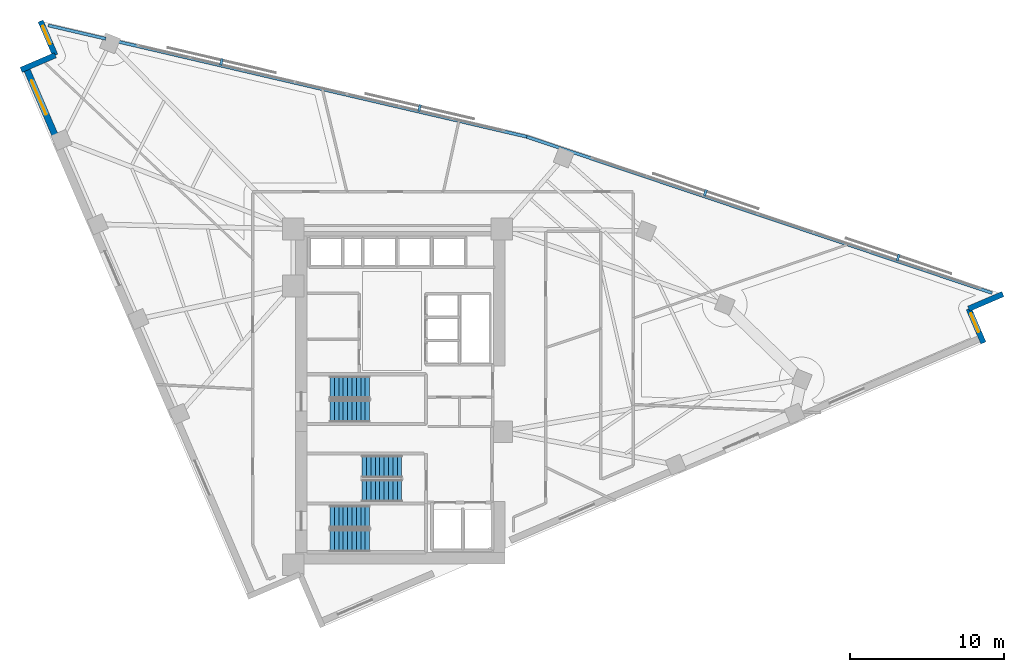
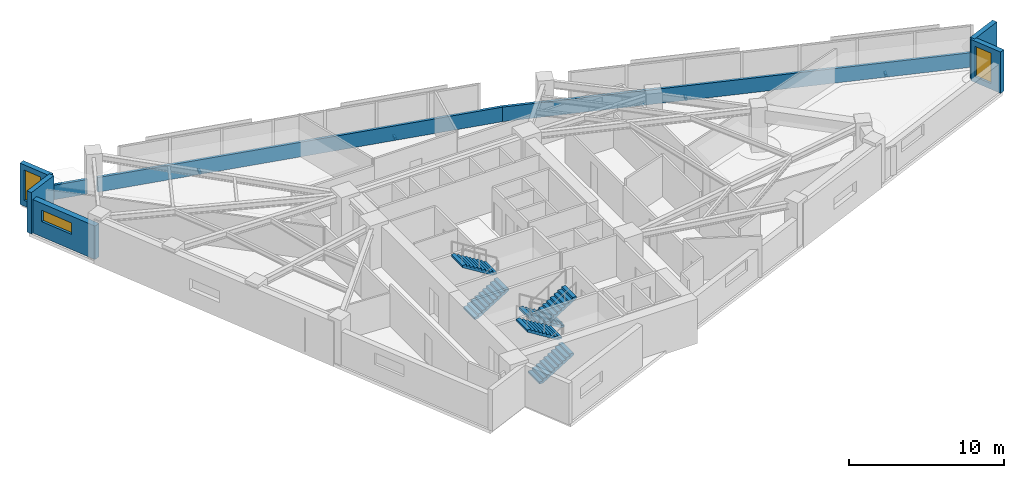
# One storey, part 13 of 15: 8 walls, 6 stair flights, 4 discrete accessories, 3 windows, 3 openings, 3 elements without a shape of their own.
"""IFC4 building model written with IfcOpenShell, lengths in metres."""

from ifc_helpers import new_model, si_unit, direction, frame, frame_2d, origin, origin_2d, place, context, subcontext, project, spatial, polyline, rectangle, outline, extrude, material, layer, layer_set, type_object, element, fill, aggregate, save


model = new_model("IFC4")

# Units and contexts
model_context = context("Model", 3, precision=1e-05, world=origin(), true_north=direction((0.0, 1.0)))
body_context = subcontext(model_context, "Body", "Model", "MODEL_VIEW")
ifc_project = project(units=[si_unit("LENGTHUNIT", "METRE"), si_unit("AREAUNIT", "SQUARE_METRE"), si_unit("VOLUMEUNIT", "CUBIC_METRE"), si_unit("PLANEANGLEUNIT", "RADIAN"), si_unit("MASSUNIT", "GRAM", prefix="KILO")], contexts=[model_context])

# Site, building, storey
site_placement = place(None, origin())
site = spatial("IfcSite", under=ifc_project, at=site_placement, CompositionType="ELEMENT")
building_placement = place(site_placement, origin())
building = spatial("IfcBuilding", under=site, at=building_placement, Name="Narakoshi Arena Tower", CompositionType="ELEMENT")
storey_placement = place(building_placement, frame((0.0, 0.0, 186.139892578125)))
storey = spatial("IfcBuildingStorey", under=building, at=storey_placement, Name="L50", CompositionType="ELEMENT", Elevation=186.139892578125)

# Walls
ifc_material_1 = material(Name="Precast concrete C45/55", Category="concrete")
ifc_layer_1 = layer(ifc_material_1, 0.25)
ifc_layer_set_1 = layer_set([ifc_layer_1], Name="Precast concrete C45/55")
wall_type_1 = type_object("IfcWallType", Name="WL-PARA-250", PredefinedType="PARAPET", material=ifc_layer_set_1)
wall_1_placement = place(storey_placement, frame((117.362548828125, 52.343505859375, 0.0), z_axis=(0.0, 0.0, 1.0), x_axis=(-0.94800468727, 0.31825636351, 0.0)))
element("IfcWall", 1, at=wall_1_placement, inside=storey, type_object=wall_type_1, Name="L50 Hypotenuse Sill Upstand Parapet 1-01", PredefinedType="PARAPET", context=body_context, shape_type="SweptSolid", body=[
    extrude(rectangle(XDim=31.869140625, YDim=0.199951171875, at=frame_2d((15.9345703125, 0.0))), origin(), (0.0, 0.0, 1.0), 1.150146484375),
])
wall_2_placement = place(storey_placement, frame((87.1650390625, 62.48193359375, 0.0), z_axis=(0.0, 0.0, 1.0), x_axis=(-0.973958631559, 0.226725790352, 0.0)))
element("IfcWall", 2, at=wall_2_placement, inside=storey, type_object=wall_type_1, Name="L50 Hypotenuse Sill Upstand Parapet 2-01", PredefinedType="PARAPET", context=body_context, shape_type="SweptSolid", body=[
    extrude(rectangle(XDim=27.375732421875, YDim=0.199951171875, at=frame_2d((13.68798828125, 0.0))), origin(), (0.0, 0.0, 1.0), 1.150146484375),
])
wall_3_placement = place(storey_placement, frame((59.8408203125, 68.842529296875, 0.0), z_axis=(0.0, 0.0, 1.0), x_axis=(-0.973951848941, 0.226754924851, 0.0)))
element("IfcWall", 3, at=wall_3_placement, inside=storey, type_object=wall_type_1, Name="L50 Hypotenuse Sill Upstand Parapet 2-02", PredefinedType="PARAPET", context=body_context, shape_type="SweptSolid", body=[
    extrude(rectangle(XDim=3.837158203125, YDim=0.199951171875, at=frame_2d((1.91845703125, 0.0))), origin(), (0.0, 0.0, 1.0), 1.150146484375),
])

# Wall, opening, window
ifc_layer_2 = layer(ifc_material_1, 0.419921875)
ifc_layer_set_2 = layer_set([ifc_layer_2], Name="Precast concrete C45/55")
wall_type_2 = type_object("IfcWallType", Name="WL-POD-420", PredefinedType="SOLIDWALL", material=ifc_layer_set_2)
wall_4_placement = place(storey_placement, frame((54.6708984375, 66.958984375, 0.0), z_axis=(0.0, 0.0, 1.0), x_axis=(0.394733507229, -0.918795656428, 0.0)))
wall_4 = element("IfcWall", 4, at=wall_4_placement, inside=storey, type_object=wall_type_2, Name="L50 Architectural Concrete Facade Wall LEGB-1", PredefinedType="SOLIDWALL", context=body_context, shape_type="SweptSolid", body=[
    extrude(rectangle(XDim=5.210205078125, YDim=0.419921875, at=frame_2d((2.60498046875, 0.0))), origin(), (0.0, 0.0, 1.0), 2.64501953125),
])
opening_1_placement = place(wall_4_placement, frame((0.89990234375, 0.0, 1.199951171875)))
opening_1 = element("IfcOpeningElement", 5, at=opening_1_placement, cuts=wall_4, Name="Opening WN-01", PredefinedType="OPENING", context=body_context, shape_type="SweptSolid", body=[
    extrude(rectangle(XDim=2.39990234375, YDim=0.89990234375, at=frame_2d((1.199951171875, 0.449951171875))), frame((0.0, 0.219970703125, 0.0), z_axis=(0.0, -1.0, 0.0), x_axis=(1.0, 0.0, 0.0)), (0.0, 0.0, 1.0), 0.43994140625),
])
ifc_material_2 = material(Name="Bronze-tinted low-E laminated glass", Category="glass")
window_type_1 = type_object("IfcWindowType", Name="WIN-SLT-24x09", PartitioningType="SINGLE_PANEL", PredefinedType="WINDOW", material=ifc_material_2)
window_1_placement = place(opening_1_placement, origin())
window_1 = element("IfcWindow", 6, at=window_1_placement, inside=storey, type_object=window_type_1, Name="L50 LEGB1 Horizontal Slot Window 1", OverallHeight=0.89990234375, OverallWidth=2.39990234375, PartitioningType="SINGLE_PANEL", PredefinedType="WINDOW", context=body_context, shape_type="SweptSolid", body=[
    extrude(rectangle(XDim=2.39990234375, YDim=0.89990234375, at=frame_2d((1.199951171875, 0.449951171875))), frame((0.0, 0.030029296875, 0.0), z_axis=(0.0, -1.0, 0.0), x_axis=(1.0, 0.0, 0.0)), (0.0, 0.0, 1.0), 0.06005859375),
])
fill(opening_1, window_1)

wall_5_placement = place(storey_placement, frame((116.8017578125, 49.105712890625, 0.0), z_axis=(0.0, 0.0, 1.0), x_axis=(-0.394712707157, 0.918804592288, 0.0)))
wall_5 = element("IfcWall", 7, at=wall_5_placement, inside=storey, type_object=wall_type_2, Name="L50 Re-Entrant Corner Notch Wall NTE-1", PredefinedType="SOLIDWALL", context=body_context, shape_type="SweptSolid", body=[
    extrude(rectangle(XDim=2.41357421875, YDim=0.360107421875, at=frame_2d((1.206787109375, 0.0))), origin(), (0.0, 0.0, 1.0), 3.260009765625),
])
opening_2_placement = place(wall_5_placement, frame((0.7734375, 0.0, 0.449951171875)))
opening_2 = element("IfcOpeningElement", 8, at=opening_2_placement, cuts=wall_5, Name="Opening WN-06", PredefinedType="OPENING", context=body_context, shape_type="SweptSolid", body=[
    extrude(rectangle(XDim=1.300048828125, YDim=2.39990234375, at=frame_2d((0.64990234375, 1.199951171875))), frame((0.0, 0.18994140625, 0.0), z_axis=(0.0, -1.0, 0.0), x_axis=(1.0, 0.0, 0.0)), (0.0, 0.0, 1.0), 0.380126953125),
])
window_type_2 = type_object("IfcWindowType", Name="WIN-NTC-16x24", PartitioningType="SINGLE_PANEL", PredefinedType="WINDOW", material=ifc_material_2)
window_2_placement = place(opening_2_placement, origin())
window_2 = element("IfcWindow", 9, at=window_2_placement, inside=storey, type_object=window_type_2, Name="L50 Corner Notch Window NTE", OverallHeight=2.39990234375, OverallWidth=1.300048828125, PartitioningType="SINGLE_PANEL", PredefinedType="WINDOW", context=body_context, shape_type="SweptSolid", body=[
    extrude(rectangle(XDim=1.300048828125, YDim=2.39990234375, at=frame_2d((0.64990234375, 1.199951171875))), frame((0.0, 0.030029296875, 0.0), z_axis=(0.0, -1.0, 0.0), x_axis=(1.0, 0.0, 0.0)), (0.0, 0.0, 1.0), 0.06005859375),
])
fill(opening_2, window_2)

# Wall
wall_6_placement = place(storey_placement, frame((115.84912109375, 51.3232421875, 0.0), z_axis=(0.0, 0.0, 1.0), x_axis=(0.918788830096, 0.394749396062, 0.0)))
element("IfcWall", 10, at=wall_6_placement, inside=storey, type_object=wall_type_2, Name="L50 Re-Entrant Corner Notch Wall NTE-2", PredefinedType="SOLIDWALL", context=body_context, shape_type="SweptSolid", body=[
    extrude(rectangle(XDim=2.413330078125, YDim=0.360107421875, at=frame_2d((1.20654296875, 0.0))), origin(), (0.0, 0.0, 1.0), 3.260009765625),
])

# Wall, opening, window
wall_7_placement = place(storey_placement, frame((55.614013671875, 69.99072265625, 0.0), z_axis=(0.0, 0.0, 1.0), x_axis=(0.394663989422, -0.918825519592, 0.0)))
wall_7 = element("IfcWall", 11, at=wall_7_placement, inside=storey, type_object=wall_type_2, Name="L50 Re-Entrant Corner Notch Wall NTN-1", PredefinedType="SOLIDWALL", context=body_context, shape_type="SweptSolid", body=[
    extrude(rectangle(XDim=2.4130859375, YDim=0.360107421875, at=frame_2d((1.20654296875, 0.0))), origin(), (0.0, 0.0, 1.0), 3.260009765625),
])
opening_3_placement = place(wall_7_placement, frame((0.340087890625, 0.0, 0.449951171875)))
opening_3 = element("IfcOpeningElement", 12, at=opening_3_placement, cuts=wall_7, Name="Opening WN-06", PredefinedType="OPENING", context=body_context, shape_type="SweptSolid", body=[
    extrude(rectangle(XDim=1.300048828125, YDim=2.39990234375, at=frame_2d((0.64990234375, 1.199951171875))), frame((0.0, 0.18994140625, 0.0), z_axis=(0.0, -1.0, 0.0), x_axis=(1.0, 0.0, 0.0)), (0.0, 0.0, 1.0), 0.380126953125),
])
window_3_placement = place(opening_3_placement, origin())
window_3 = element("IfcWindow", 13, at=window_3_placement, inside=storey, type_object=window_type_2, Name="L50 Corner Notch Window NTN", OverallHeight=2.39990234375, OverallWidth=1.300048828125, PartitioningType="SINGLE_PANEL", PredefinedType="WINDOW", context=body_context, shape_type="SweptSolid", body=[
    extrude(rectangle(XDim=1.300048828125, YDim=2.39990234375, at=frame_2d((0.64990234375, 1.199951171875))), frame((0.0, 0.030029296875, 0.0), z_axis=(0.0, -1.0, 0.0), x_axis=(1.0, 0.0, 0.0)), (0.0, 0.0, 1.0), 0.06005859375),
])
fill(opening_3, window_3)

# Wall
wall_8_placement = place(storey_placement, frame((56.56640625, 67.7734375, 0.0), z_axis=(0.0, 0.0, 1.0), x_axis=(-0.918788830096, -0.394749396062, 0.0)))
element("IfcWall", 14, at=wall_8_placement, inside=storey, type_object=wall_type_2, Name="L50 Re-Entrant Corner Notch Wall NTN-2", PredefinedType="SOLIDWALL", context=body_context, shape_type="SweptSolid", body=[
    extrude(rectangle(XDim=2.413330078125, YDim=0.360107421875, at=frame_2d((1.20654296875, 0.0))), origin(), (0.0, 0.0, 1.0), 3.260009765625),
])

# Stair, stair flights
ifc_material_3 = material(Name="Concrete C45/55", Category="concrete")
stair_type = type_object("IfcStairType", Name="STR-CORE-352", PredefinedType="TWO_STRAIGHT_RUN_STAIR", material=ifc_material_3)
stair_1_placement = place(storey_placement, origin())
stair_1 = element("IfcStair", 15, at=stair_1_placement, inside=storey, type_object=stair_type, Name="L50 Core Escape Stair ST1", PredefinedType="TWO_STRAIGHT_RUN_STAIR")
stair_flight_type = type_object("IfcStairFlightType", Name="FLT-145-160", PredefinedType="STRAIGHT", material=ifc_material_1)
stair_flight_1_placement = place(storey_placement, frame((74.39990234375, 36.27490234375, 0.0), z_axis=(0.0, 0.0, 1.0), x_axis=(1.0, 0.0, 0.0)))
stair_flight_1 = element("IfcStairFlight", 16, at=stair_flight_1_placement, type_object=stair_flight_type, Name="ST1 flight 1", NumberOfRisers=10, NumberOfTreads=9, PredefinedType="STRAIGHT", RiserHeight=0.176, TreadLength=0.285, context=body_context, shape_type="SweptSolid", body=[
    extrude(outline(polyline([(0.0, 0.0), (0.0, 0.176025390625), (0.284912109375, 0.176025390625), (0.284912109375, 0.35205078125), (0.570068359375, 0.35205078125), (0.570068359375, 0.528076171875), (0.85498046875, 0.528076171875), (0.85498046875, 0.7041015625), (1.139892578125, 0.7041015625), (1.139892578125, 0.8798828125), (1.425048828125, 0.8798828125), (1.425048828125, 1.055908203125), (1.7099609375, 1.055908203125), (1.7099609375, 1.23193359375), (1.9951171875, 1.23193359375), (1.9951171875, 1.407958984375), (2.280029296875, 1.407958984375), (2.280029296875, 1.583984375), (2.56494140625, 1.583984375), (2.56494140625, 1.760009765625), (2.56494140625, 1.40771484375), (0.285400390625, 0.0), (0.0, 0.0)])), frame((0.0, 0.72509765625, 0.0), z_axis=(0.0, -1.0, 0.0), x_axis=(1.0, 0.0, 0.0)), (0.0, 0.0, 1.0), 1.449951171875),
])
stair_flight_2_placement = place(storey_placement, frame((76.965087890625, 37.824951171875, 1.760009765625), z_axis=(0.0, 0.0, 1.0), x_axis=(-1.0, 0.0, 0.0)))
stair_flight_2 = element("IfcStairFlight", 17, at=stair_flight_2_placement, type_object=stair_flight_type, Name="ST1 flight 2", NumberOfRisers=10, NumberOfTreads=9, PredefinedType="STRAIGHT", RiserHeight=0.176, TreadLength=0.285, context=body_context, shape_type="SweptSolid", body=[
    extrude(outline(polyline([(0.0, 0.0), (0.0, 0.176025390625), (0.284912109375, 0.176025390625), (0.284912109375, 0.35205078125), (0.570068359375, 0.35205078125), (0.570068359375, 0.528076171875), (0.85498046875, 0.528076171875), (0.85498046875, 0.7041015625), (1.139892578125, 0.7041015625), (1.139892578125, 0.8798828125), (1.425048828125, 0.8798828125), (1.425048828125, 1.055908203125), (1.7099609375, 1.055908203125), (1.7099609375, 1.23193359375), (1.9951171875, 1.23193359375), (1.9951171875, 1.407958984375), (2.280029296875, 1.407958984375), (2.280029296875, 1.583984375), (2.56494140625, 1.583984375), (2.56494140625, 1.760009765625), (2.56494140625, 1.40771484375), (0.285400390625, 0.0), (0.0, 0.0)])), frame((0.0, 0.72509765625, 0.0), z_axis=(0.0, -1.0, 0.0), x_axis=(1.0, 0.0, 0.0)), (0.0, 0.0, 1.0), 1.449951171875),
])
aggregate(stair_1, [stair_flight_1, stair_flight_2])

stair_2_placement = place(storey_placement, origin())
stair_2 = element("IfcStair", 18, at=stair_2_placement, inside=storey, type_object=stair_type, Name="L50 Core Escape Stair ST2", PredefinedType="TWO_STRAIGHT_RUN_STAIR")
stair_flight_3_placement = place(storey_placement, frame((79.050048828125, 41.074951171875, 0.0), z_axis=(0.0, 0.0, 1.0), x_axis=(-1.0, 0.0, 0.0)))
stair_flight_3 = element("IfcStairFlight", 19, at=stair_flight_3_placement, type_object=stair_flight_type, Name="ST2 flight 1", NumberOfRisers=10, NumberOfTreads=9, PredefinedType="STRAIGHT", RiserHeight=0.176, TreadLength=0.285, context=body_context, shape_type="SweptSolid", body=[
    extrude(outline(polyline([(0.0, 0.0), (0.0, 0.176025390625), (0.284912109375, 0.176025390625), (0.284912109375, 0.35205078125), (0.570068359375, 0.35205078125), (0.570068359375, 0.528076171875), (0.85498046875, 0.528076171875), (0.85498046875, 0.7041015625), (1.139892578125, 0.7041015625), (1.139892578125, 0.8798828125), (1.425048828125, 0.8798828125), (1.425048828125, 1.055908203125), (1.7099609375, 1.055908203125), (1.7099609375, 1.23193359375), (1.9951171875, 1.23193359375), (1.9951171875, 1.407958984375), (2.280029296875, 1.407958984375), (2.280029296875, 1.583984375), (2.56494140625, 1.583984375), (2.56494140625, 1.760009765625), (2.56494140625, 1.40771484375), (0.285400390625, 0.0), (0.0, 0.0)])), frame((0.0, 0.72509765625, 0.0), z_axis=(0.0, -1.0, 0.0), x_axis=(1.0, 0.0, 0.0)), (0.0, 0.0, 1.0), 1.449951171875),
])
stair_flight_4_placement = place(storey_placement, frame((76.485107421875, 39.52490234375, 1.760009765625), z_axis=(0.0, 0.0, 1.0), x_axis=(1.0, 0.0, 0.0)))
stair_flight_4 = element("IfcStairFlight", 20, at=stair_flight_4_placement, type_object=stair_flight_type, Name="ST2 flight 2", NumberOfRisers=10, NumberOfTreads=9, PredefinedType="STRAIGHT", RiserHeight=0.176, TreadLength=0.285, context=body_context, shape_type="SweptSolid", body=[
    extrude(outline(polyline([(0.0, 0.0), (0.0, 0.176025390625), (0.284912109375, 0.176025390625), (0.284912109375, 0.35205078125), (0.570068359375, 0.35205078125), (0.570068359375, 0.528076171875), (0.85498046875, 0.528076171875), (0.85498046875, 0.7041015625), (1.139892578125, 0.7041015625), (1.139892578125, 0.8798828125), (1.425048828125, 0.8798828125), (1.425048828125, 1.055908203125), (1.7099609375, 1.055908203125), (1.7099609375, 1.23193359375), (1.9951171875, 1.23193359375), (1.9951171875, 1.407958984375), (2.280029296875, 1.407958984375), (2.280029296875, 1.583984375), (2.56494140625, 1.583984375), (2.56494140625, 1.760009765625), (2.56494140625, 1.40771484375), (0.285400390625, 0.0), (0.0, 0.0)])), frame((0.0, 0.72509765625, 0.0), z_axis=(0.0, -1.0, 0.0), x_axis=(1.0, 0.0, 0.0)), (0.0, 0.0, 1.0), 1.449951171875),
])
aggregate(stair_2, [stair_flight_3, stair_flight_4])

stair_3_placement = place(storey_placement, origin())
stair_3 = element("IfcStair", 21, at=stair_3_placement, inside=storey, type_object=stair_type, Name="L50 Core Escape Stair ST3", PredefinedType="TWO_STRAIGHT_RUN_STAIR")
stair_flight_5_placement = place(storey_placement, frame((74.39990234375, 44.675048828125, 0.0), z_axis=(0.0, 0.0, 1.0), x_axis=(1.0, 0.0, 0.0)))
stair_flight_5 = element("IfcStairFlight", 22, at=stair_flight_5_placement, type_object=stair_flight_type, Name="ST3 flight 1", NumberOfRisers=10, NumberOfTreads=9, PredefinedType="STRAIGHT", RiserHeight=0.176, TreadLength=0.285, context=body_context, shape_type="SweptSolid", body=[
    extrude(outline(polyline([(0.0, 0.0), (0.0, 0.176025390625), (0.284912109375, 0.176025390625), (0.284912109375, 0.35205078125), (0.570068359375, 0.35205078125), (0.570068359375, 0.528076171875), (0.85498046875, 0.528076171875), (0.85498046875, 0.7041015625), (1.139892578125, 0.7041015625), (1.139892578125, 0.8798828125), (1.425048828125, 0.8798828125), (1.425048828125, 1.055908203125), (1.7099609375, 1.055908203125), (1.7099609375, 1.23193359375), (1.9951171875, 1.23193359375), (1.9951171875, 1.407958984375), (2.280029296875, 1.407958984375), (2.280029296875, 1.583984375), (2.56494140625, 1.583984375), (2.56494140625, 1.760009765625), (2.56494140625, 1.40771484375), (0.285400390625, 0.0), (0.0, 0.0)])), frame((0.0, 0.72509765625, 0.0), z_axis=(0.0, -1.0, 0.0), x_axis=(1.0, 0.0, 0.0)), (0.0, 0.0, 1.0), 1.449951171875),
])
stair_flight_6_placement = place(storey_placement, frame((76.965087890625, 46.22509765625, 1.760009765625), z_axis=(0.0, 0.0, 1.0), x_axis=(-1.0, 0.0, 0.0)))
stair_flight_6 = element("IfcStairFlight", 23, at=stair_flight_6_placement, type_object=stair_flight_type, Name="ST3 flight 2", NumberOfRisers=10, NumberOfTreads=9, PredefinedType="STRAIGHT", RiserHeight=0.176, TreadLength=0.285, context=body_context, shape_type="SweptSolid", body=[
    extrude(outline(polyline([(0.0, 0.0), (0.0, 0.176025390625), (0.284912109375, 0.176025390625), (0.284912109375, 0.35205078125), (0.570068359375, 0.35205078125), (0.570068359375, 0.528076171875), (0.85498046875, 0.528076171875), (0.85498046875, 0.7041015625), (1.139892578125, 0.7041015625), (1.139892578125, 0.8798828125), (1.425048828125, 0.8798828125), (1.425048828125, 1.055908203125), (1.7099609375, 1.055908203125), (1.7099609375, 1.23193359375), (1.9951171875, 1.23193359375), (1.9951171875, 1.407958984375), (2.280029296875, 1.407958984375), (2.280029296875, 1.583984375), (2.56494140625, 1.583984375), (2.56494140625, 1.760009765625), (2.56494140625, 1.40771484375), (0.285400390625, 0.0), (0.0, 0.0)])), frame((0.0, 0.72509765625, 0.0), z_axis=(0.0, -1.0, 0.0), x_axis=(1.0, 0.0, 0.0)), (0.0, 0.0, 1.0), 1.449951171875),
])
aggregate(stair_3, [stair_flight_5, stair_flight_6])

# Discrete accessories
ifc_material_4 = material(Name="Structural steel S355J2", Category="steel")
discrete_accessory_type = type_object("IfcDiscreteAccessoryType", Name="ACC-BRK-SCR", PredefinedType="BRACKET", material=ifc_material_4)
for number, where, z_axis, x_axis, name in (
    (24, (111.266357421875, 54.64306640625, -0.080078125), (0.0, 0.0, 1.0), (-0.948001964735, 0.318264473134, 0.0), "L50 Solar Screen Support Bracket SHD-L50-SCR1-1"),
    (25, (98.752685546875, 58.84423828125, -0.080078125), (0.0, 0.0, 1.0), (-0.948001964735, 0.318264473134, 0.0), "L50 Solar Screen Support Bracket SHD-L50-SCR1-2"),
    (26, (80.206787109375, 64.34814453125, -0.080078125), (0.0, 0.0, 1.0), (-0.973960141659, 0.226719303234, 0.0), "L50 Solar Screen Support Bracket SHD-L50-SCR2-1"),
    (27, (67.3505859375, 67.3408203125, -0.080078125), (0.0, 0.0, 1.0), (-0.973960141659, 0.226719303234, 0.0), "L50 Solar Screen Support Bracket SHD-L50-SCR2-2"),
):
    element("IfcDiscreteAccessory", number, at=place(storey_placement, frame(where, z_axis=z_axis, x_axis=x_axis)), inside=storey, type_object=discrete_accessory_type, Name=name, PredefinedType="BRACKET", context=body_context, shape_type="SweptSolid", body=[
        extrude(rectangle(XDim=0.159912109375, YDim=0.43994140625, at=origin_2d()), origin(), (0.0, 0.0, 1.0), 0.199951171875),
    ])

save(model, "model.ifc")
